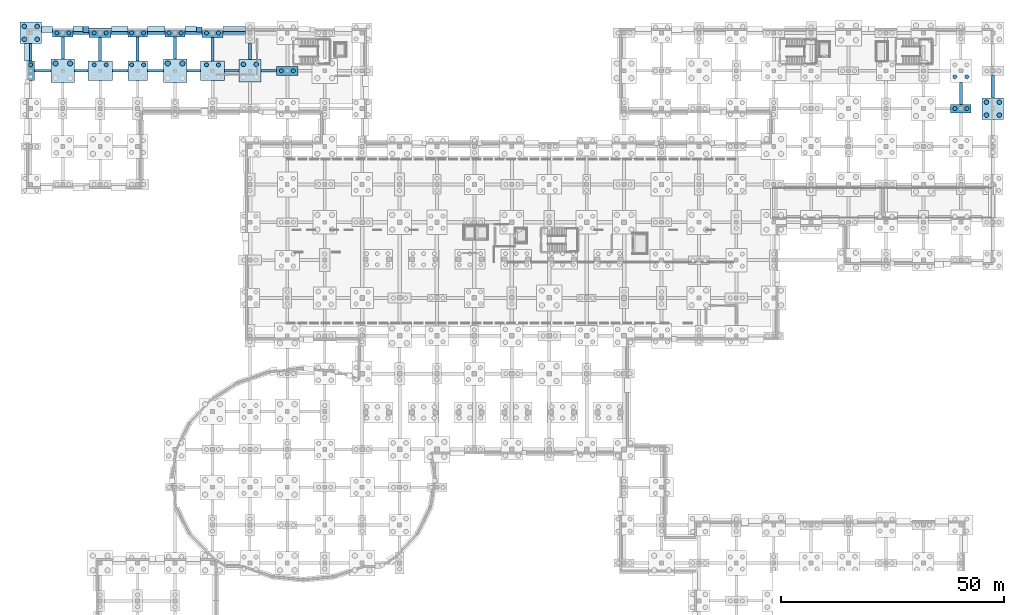
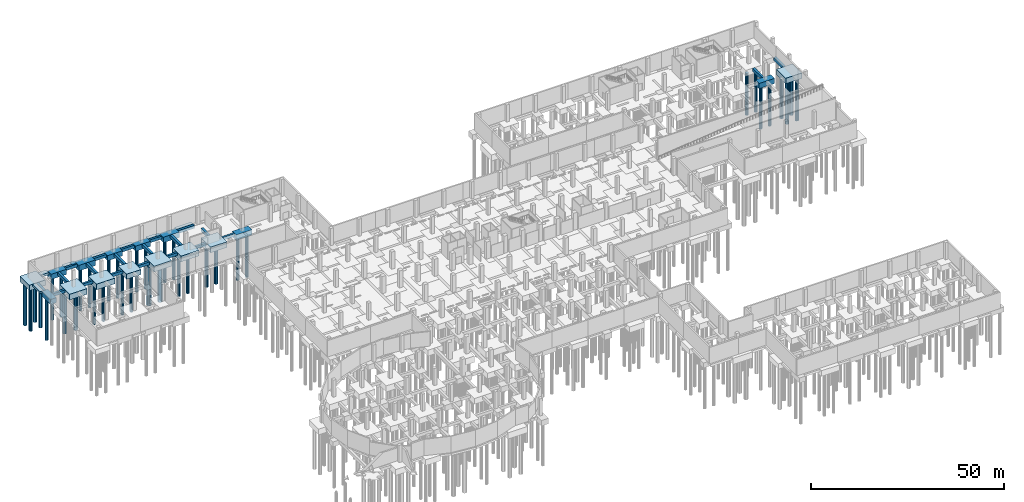
# One storey, part 20 of 34: 46 footings, 37 piles.
"""IFC4 building model written with IfcOpenShell, lengths in metres."""

import ifcopenshell
import ifcopenshell.guid

model = None  # the IFC model being written
_history = None  # IfcOwnerHistory: only IFC2X3 demands one
_inside = {}  # id of a spatial element -> (the spatial element, [elements in it])
_under = {}  # id of a project, library or spatial element -> (it, [spatial elements below it])
_declared = {}  # id of a project -> (the project, [libraries it declares])
_typed = {}  # id of a type object -> (the type object, [elements of that type])
_made_of = {}  # id of a material, layer set ... -> (it, [elements and type objects made of it])


def new_model(schema):
    """Start an empty IFC model of exactly this schema.

    Asked for "IFC4X3", IfcOpenShell would pick the latest addendum, in which some entities
    have other attributes; the version numbers below select the first issue.
    IFC2X3 requires an IfcOwnerHistory on every rooted entity: one is made here for all.
    """
    global model, _history
    if schema == "IFC4X3":
        model = ifcopenshell.file(schema_version=(4, 3, 0, 0))
    else:
        model = ifcopenshell.file(schema=schema)
    _inside.clear()
    _under.clear()
    _declared.clear()
    _typed.clear()
    _made_of.clear()
    _history = None
    if model.schema == "IFC2X3":
        org = make("IfcOrganization", Name="unknown")
        user = make(
            "IfcPersonAndOrganization",
            ThePerson=make("IfcPerson", FamilyName="unknown"),
            TheOrganization=org,
        )
        app = make(
            "IfcApplication",
            ApplicationDeveloper=org,
            Version="unknown",
            ApplicationFullName="unknown",
            ApplicationIdentifier="unknown",
        )
        _history = make(
            "IfcOwnerHistory",
            OwningUser=user,
            OwningApplication=app,
            ChangeAction="ADDED",
            CreationDate=0,
        )
    return model


def make(cls, **values):
    """One entity of the class cls with the attributes given. An attribute that is None is left unset."""
    return model.create_entity(
        cls, **{name: value for name, value in values.items() if value is not None}
    )


def rooted(cls, **values):
    """An entity with a GlobalId (a new one), such as an element, a storey or a relation."""
    return make(cls, GlobalId=ifcopenshell.guid.new(), OwnerHistory=_history, **values)


def si_unit(unit_type, name, prefix=None):
    """IfcSIUnit, for example si_unit("LENGTHUNIT", "METRE", prefix="MILLI")."""
    return make("IfcSIUnit", UnitType=unit_type, Prefix=prefix, Name=name)


def assignment(units):
    """IfcUnitAssignment: the units of a project."""
    return None if units is None else make("IfcUnitAssignment", Units=units)


def point(xyz):
    """IfcCartesianPoint."""
    return None if xyz is None else make("IfcCartesianPoint", Coordinates=xyz)


def direction(xyz):
    """IfcDirection."""
    return None if xyz is None else make("IfcDirection", DirectionRatios=xyz)


def frame(location, z_axis=None, x_axis=None):
    """IfcAxis2Placement3D, a coordinate frame: its origin and axes. An axis left out is left unset."""
    return make(
        "IfcAxis2Placement3D",
        Location=point(location),
        Axis=direction(z_axis),
        RefDirection=direction(x_axis),
    )


def frame_2d(location, x_axis=None):
    """IfcAxis2Placement2D, a coordinate frame in the plane: its origin and x axis."""
    return make(
        "IfcAxis2Placement2D", Location=point(location), RefDirection=direction(x_axis)
    )


def origin():
    """The frame at (0, 0, 0) with its axes left unset."""
    return frame((0.0, 0.0, 0.0))


def origin_2d():
    """The frame at (0, 0) in the plane with its x axis left unset."""
    return frame_2d((0.0, 0.0))


def place(relative_to, where):
    """IfcLocalPlacement: puts the frame where relative to a parent placement (None: the world)."""
    return make(
        "IfcLocalPlacement", PlacementRelTo=relative_to, RelativePlacement=where
    )


def context(
    kind, dimensions, precision=None, world=None, true_north=None, identifier=None
):
    """IfcGeometricRepresentationContext, for example the 3D "Model" context."""
    return make(
        "IfcGeometricRepresentationContext",
        ContextIdentifier=identifier,
        ContextType=kind,
        CoordinateSpaceDimension=dimensions,
        Precision=precision,
        WorldCoordinateSystem=world,
        TrueNorth=true_north,
    )


def subcontext(parent, identifier, kind, view, scale=None):
    """IfcGeometricRepresentationSubContext, for example "Body" below "Model"."""
    return make(
        "IfcGeometricRepresentationSubContext",
        ContextIdentifier=identifier,
        ContextType=kind,
        ParentContext=parent,
        TargetScale=scale,
        TargetView=view,
    )


def project(units=None, contexts=None):
    """IfcProject with its units and contexts."""
    return rooted(
        "IfcProject",
        Name="project",
        RepresentationContexts=contexts,
        UnitsInContext=assignment(units),
    )


def spatial(cls, under=None, at=None, **own):
    """A site, building, storey or space (cls), placed at a placement, below another one or the project."""
    s = rooted(cls, ObjectPlacement=at, **own)
    if under is not None:
        _under.setdefault(under.id(), (under, []))[1].append(s)
    return s


def profile(cls, at=None, kind="AREA", **sizes):
    """A parametric profile (cls). Its sizes go by their IFC names, for example OverallWidth=200.0."""
    return make(cls, ProfileType=kind, Position=at, **sizes)


def rectangle(**sizes):
    """IfcRectangleProfileDef."""
    return profile("IfcRectangleProfileDef", **sizes)


def circle(**sizes):
    """IfcCircleProfileDef."""
    return profile("IfcCircleProfileDef", **sizes)


def extrude(swept, where, along, depth):
    """IfcExtrudedAreaSolid: the profile swept, set in the frame where, extruded along a direction by depth."""
    return make(
        "IfcExtrudedAreaSolid",
        SweptArea=swept,
        Position=where,
        ExtrudedDirection=direction(along),
        Depth=depth,
    )


def shape(context_of_items, identifier, shape_type, items):
    """IfcShapeRepresentation: the items that make up one representation, for example the "Body"."""
    return make(
        "IfcShapeRepresentation",
        ContextOfItems=context_of_items,
        RepresentationIdentifier=identifier,
        RepresentationType=shape_type,
        Items=items,
    )


def material(Name=None, Category=None):
    """IfcMaterial."""
    return make("IfcMaterial", Name=Name, Category=Category)


def material_profile(
    of_material, cross_section, Name=None, Category=None, Priority=None
):
    """IfcMaterialProfile: a cross section and its material."""
    return make(
        "IfcMaterialProfile",
        Name=Name,
        Material=of_material,
        Profile=cross_section,
        Priority=Priority,
        Category=Category,
    )


def profile_set(profiles, Name=None, composite=None):
    """IfcMaterialProfileSet."""
    return make(
        "IfcMaterialProfileSet",
        Name=Name,
        MaterialProfiles=profiles,
        CompositeProfile=composite,
    )


def made_of(thing, what):
    """Note that an element or type object is made of a material, layer set ...; save() writes the relation."""
    if what is not None:
        _made_of.setdefault(what.id(), (what, []))[1].append(thing)
    return thing


def type_object(cls, material=None, **own):
    """A type object (cls), such as IfcWallType, which elements share."""
    return made_of(rooted(cls, **own), material)


def element(
    cls,
    number,
    at=None,
    inside=None,
    cuts=None,
    type_object=None,
    material=None,
    context=None,
    identifier="Body",
    shape_type=None,
    held_by="IfcProductDefinitionShape",
    body=None,
    shapes=None,
    **own,
):
    """One element of the class cls, such as IfcWall. Its Tag is "e" and its number.

    at: its placement. inside: the storey or other place that contains it. cuts: it is an
    opening in that element (IfcRelVoidsElement). A single representation is given by context,
    identifier, shape_type and body (its items); several are given by shapes. held_by: the class
    of the entity that holds the representations. save() writes the other relations.
    """
    e = rooted(cls, Tag="e%d" % number, ObjectPlacement=at, **own)
    if body is not None:
        shapes = [shape(context, identifier, shape_type, body)]
    if shapes is not None:
        e.Representation = make(held_by, Representations=shapes)
    if inside is not None:
        _inside.setdefault(inside.id(), (inside, []))[1].append(e)
    if cuts is not None:
        rooted(
            "IfcRelVoidsElement", RelatingBuildingElement=cuts, RelatedOpeningElement=e
        )
    if type_object is not None:
        _typed.setdefault(type_object.id(), (type_object, []))[1].append(e)
    return made_of(e, material)


def aggregate(whole, parts):
    """IfcRelAggregates: a whole, such as a stair, and the parts it consists of."""
    return rooted("IfcRelAggregates", RelatingObject=whole, RelatedObjects=parts)


def save(model, path):
    """Write the relations noted so far, then the file.

    IfcRelAggregates (storeys below a building ...), IfcRelContainedInSpatialStructure (elements
    in a storey), IfcRelDefinesByType, IfcRelAssociatesMaterial and IfcRelDeclares: one each for
    every whole, place, type object, material and project.
    """
    for whole, parts in _under.values():
        aggregate(whole, parts)
    for where, things in _inside.values():
        rooted(
            "IfcRelContainedInSpatialStructure",
            RelatedElements=things,
            RelatingStructure=where,
        )
    for kind, things in _typed.values():
        rooted("IfcRelDefinesByType", RelatedObjects=things, RelatingType=kind)
    for what, things in _made_of.values():
        rooted("IfcRelAssociatesMaterial", RelatedObjects=things, RelatingMaterial=what)
    for by, libraries in _declared.values():
        rooted("IfcRelDeclares", RelatingContext=by, RelatedDefinitions=libraries)
    model.write(path)


model = new_model("IFC4")

# Units and contexts
model_context = context("Model", 3, precision=1e-05, world=origin(), true_north=direction((0.0, 1.0)))
body_context = subcontext(model_context, "Body", "Model", "MODEL_VIEW")
ifc_project = project(units=[si_unit("LENGTHUNIT", "METRE"), si_unit("AREAUNIT", "SQUARE_METRE"), si_unit("VOLUMEUNIT", "CUBIC_METRE"), si_unit("PLANEANGLEUNIT", "RADIAN"), si_unit("MASSUNIT", "GRAM", prefix="KILO")], contexts=[model_context])

# Site, building, storey
site_placement = place(None, origin())
site = spatial("IfcSite", under=ifc_project, at=site_placement, CompositionType="ELEMENT")
building_placement = place(site_placement, origin())
building = spatial("IfcBuilding", under=site, at=building_placement, Name="Solvento Point Concert Hall", CompositionType="ELEMENT")
storey_placement = place(building_placement, frame((0.0, 0.0, -5.39990234375)))
storey = spatial("IfcBuildingStorey", under=building, at=storey_placement, Name="B01", CompositionType="ELEMENT", Elevation=-5.39990234375)

# Piles
ifc_material_1 = material(Name="Concrete C40/50", Category="concrete")
ifc_material_profile_1 = material_profile(ifc_material_1, circle(Radius=0.52490234375, at=origin_2d()), Name="BP-1050")
ifc_profile_set_1 = profile_set([ifc_material_profile_1], Name="Concrete C40/50")
pile_type_1 = type_object("IfcPileType", Name="BoredPile_1050", PredefinedType="BORED", material=ifc_profile_set_1)
for number, where, z_axis, x_axis, name in (
    (1, (-1.449951171875, 134.550048828125, -1.6201171875), (0.0, 0.0, -1.0), (1.0, 0.0, 0.0), "Bored pile BoredPile_1050 #13"),
    (2, (1.449951171875, 134.550048828125, -1.6201171875), (0.0, 0.0, -1.0), (1.0, 0.0, 0.0), "Bored pile BoredPile_1050 #14"),
    (3, (-1.449951171875, 137.449951171875, -1.6201171875), (0.0, 0.0, -1.0), (1.0, 0.0, 0.0), "Bored pile BoredPile_1050 #15"),
    (4, (1.449951171875, 137.449951171875, -1.6201171875), (0.0, 0.0, -1.0), (1.0, 0.0, 0.0), "Bored pile BoredPile_1050 #16"),
):
    element("IfcPile", number, at=place(storey_placement, frame(where, z_axis=z_axis, x_axis=x_axis)), inside=storey, type_object=pile_type_1, Name=name, PredefinedType="BORED", context=body_context, shape_type="SweptSolid", body=[
        extrude(circle(Radius=0.52490234375, at=origin_2d()), origin(), (0.0, 0.0, 1.0), 13.47998046875),
    ])
for number, where, z_axis, x_axis, name in (
    (5, (47.75, 128.949951171875, -1.66015625), (0.0, 0.0, -1.0), (1.0, 0.0, 0.0), "Bored pile BoredPile_1050 #165"),
    (6, (50.64990234375, 128.949951171875, -1.66015625), (0.0, 0.0, -1.0), (1.0, 0.0, 0.0), "Bored pile BoredPile_1050 #166"),
):
    element("IfcPile", number, at=place(storey_placement, frame(where, z_axis=z_axis, x_axis=x_axis)), inside=storey, type_object=pile_type_1, Name=name, PredefinedType="BORED", context=body_context, shape_type="SweptSolid", body=[
        extrude(circle(Radius=0.52490234375, at=origin_2d()), origin(), (0.0, 0.0, 1.0), 13.43994140625),
    ])
for number, where, z_axis, x_axis, name in (
    (7, (214.550048828125, 117.550048828125, -1.6201171875), (0.0, 0.0, -1.0), (1.0, 0.0, 0.0), "Bored pile BoredPile_1050 #805"),
    (8, (217.449951171875, 117.550048828125, -1.6201171875), (0.0, 0.0, -1.0), (1.0, 0.0, 0.0), "Bored pile BoredPile_1050 #806"),
    (9, (214.550048828125, 120.449951171875, -1.6201171875), (0.0, 0.0, -1.0), (1.0, 0.0, 0.0), "Bored pile BoredPile_1050 #807"),
    (10, (217.449951171875, 120.449951171875, -1.6201171875), (0.0, 0.0, -1.0), (1.0, 0.0, 0.0), "Bored pile BoredPile_1050 #808"),
):
    element("IfcPile", number, at=place(storey_placement, frame(where, z_axis=z_axis, x_axis=x_axis)), inside=storey, type_object=pile_type_1, Name=name, PredefinedType="BORED", context=body_context, shape_type="SweptSolid", body=[
        extrude(circle(Radius=0.52490234375, at=origin_2d()), origin(), (0.0, 0.0, 1.0), 13.47998046875),
    ])
ifc_material_2 = material(Name="Concrete C40/50", Category="concrete")
ifc_material_profile_2 = material_profile(ifc_material_2, circle(Radius=0.60009765625, at=origin_2d()), Name="BP-1200")
ifc_profile_set_2 = profile_set([ifc_material_profile_2], Name="Concrete C40/50")
pile_type_2 = type_object("IfcPileType", Name="BoredPile_1200", PredefinedType="BORED", material=ifc_profile_set_2)
for number, where, z_axis, x_axis, name in (
    (11, (5.550048828125, 129.14990234375, -1.7001953125), (0.0, 0.0, -1.0), (1.0, 0.0, 0.0), "Bored pile BoredPile_1200 #27"),
    (12, (8.85009765625, 129.14990234375, -1.7001953125), (0.0, 0.0, -1.0), (1.0, 0.0, 0.0), "Bored pile BoredPile_1200 #28"),
    (13, (30.75, 129.14990234375, -1.7001953125), (0.0, 0.0, -1.0), (1.0, 0.0, 0.0), "Bored pile BoredPile_1200 #99"),
    (14, (34.050048828125, 129.14990234375, -1.7001953125), (0.0, 0.0, -1.0), (1.0, 0.0, 0.0), "Bored pile BoredPile_1200 #100"),
):
    element("IfcPile", number, at=place(storey_placement, frame(where, z_axis=z_axis, x_axis=x_axis)), inside=storey, type_object=pile_type_2, Name=name, PredefinedType="BORED", context=body_context, shape_type="SweptSolid", body=[
        extrude(circle(Radius=0.60009765625, at=origin_2d()), origin(), (0.0, 0.0, 1.0), 13.39990234375),
    ])
ifc_material_3 = material(Name="Concrete C40/50", Category="concrete")
ifc_material_profile_3 = material_profile(ifc_material_3, circle(Radius=0.449951171875, at=origin_2d()), Name="BP-900")
ifc_profile_set_3 = profile_set([ifc_material_profile_3], Name="Concrete C40/50")
pile_type_3 = type_object("IfcPileType", Name="BoredPile_900", PredefinedType="BORED", material=ifc_profile_set_3)
pile_placement = place(storey_placement, frame((0.0, 128.85009765625, -1.47998046875), z_axis=(0.0, 0.0, -1.0), x_axis=(1.0, 0.0, 0.0)))
element("IfcPile", 15, at=pile_placement, inside=storey, type_object=pile_type_3, Name="Bored pile BoredPile_900 #12", PredefinedType="BORED", context=body_context, shape_type="SweptSolid", body=[
    extrude(circle(Radius=0.449951171875, at=origin_2d()), origin(), (0.0, 0.0, 1.0), 13.6201171875),
])
for number, where, z_axis, x_axis, name in (
    (16, (5.85009765625, 136.0, -1.550048828125), (0.0, 0.0, -1.0), (1.0, 0.0, 0.0), "Bored pile BoredPile_900 #29"),
    (17, (8.550048828125, 136.0, -1.550048828125), (0.0, 0.0, -1.0), (1.0, 0.0, 0.0), "Bored pile BoredPile_900 #30"),
):
    element("IfcPile", number, at=place(storey_placement, frame(where, z_axis=z_axis, x_axis=x_axis)), inside=storey, type_object=pile_type_3, Name=name, PredefinedType="BORED", context=body_context, shape_type="SweptSolid", body=[
        extrude(circle(Radius=0.449951171875, at=origin_2d()), origin(), (0.0, 0.0, 1.0), 13.550048828125),
    ])
for number, where, z_axis, x_axis, name in (
    (18, (14.25, 128.85009765625, -1.68017578125), (0.0, 0.0, -1.0), (1.0, 0.0, 0.0), "Bored pile BoredPile_900 #51"),
    (19, (16.949951171875, 128.85009765625, -1.68017578125), (0.0, 0.0, -1.0), (1.0, 0.0, 0.0), "Bored pile BoredPile_900 #52"),
):
    element("IfcPile", number, at=place(storey_placement, frame(where, z_axis=z_axis, x_axis=x_axis)), inside=storey, type_object=pile_type_3, Name=name, PredefinedType="BORED", context=body_context, shape_type="SweptSolid", body=[
        extrude(circle(Radius=0.449951171875, at=origin_2d()), origin(), (0.0, 0.0, 1.0), 13.419921875),
    ])
for number, where, z_axis, x_axis, name in (
    (20, (14.25, 136.0, -1.650146484375), (0.0, 0.0, -1.0), (1.0, 0.0, 0.0), "Bored pile BoredPile_900 #53"),
    (21, (16.949951171875, 136.0, -1.650146484375), (0.0, 0.0, -1.0), (1.0, 0.0, 0.0), "Bored pile BoredPile_900 #54"),
):
    element("IfcPile", number, at=place(storey_placement, frame(where, z_axis=z_axis, x_axis=x_axis)), inside=storey, type_object=pile_type_3, Name=name, PredefinedType="BORED", context=body_context, shape_type="SweptSolid", body=[
        extrude(circle(Radius=0.449951171875, at=origin_2d()), origin(), (0.0, 0.0, 1.0), 13.449951171875),
    ])
for number, where, z_axis, x_axis, name in (
    (22, (22.64990234375, 128.85009765625, -1.5), (0.0, 0.0, -1.0), (1.0, 0.0, 0.0), "Bored pile BoredPile_900 #75"),
    (23, (25.35009765625, 128.85009765625, -1.5), (0.0, 0.0, -1.0), (1.0, 0.0, 0.0), "Bored pile BoredPile_900 #76"),
):
    element("IfcPile", number, at=place(storey_placement, frame(where, z_axis=z_axis, x_axis=x_axis)), inside=storey, type_object=pile_type_3, Name=name, PredefinedType="BORED", context=body_context, shape_type="SweptSolid", body=[
        extrude(circle(Radius=0.449951171875, at=origin_2d()), origin(), (0.0, 0.0, 1.0), 13.60009765625),
    ])
for number, where, z_axis, x_axis, name in (
    (24, (22.64990234375, 136.0, -1.5400390625), (0.0, 0.0, -1.0), (1.0, 0.0, 0.0), "Bored pile BoredPile_900 #77"),
    (25, (25.35009765625, 136.0, -1.5400390625), (0.0, 0.0, -1.0), (1.0, 0.0, 0.0), "Bored pile BoredPile_900 #78"),
):
    element("IfcPile", number, at=place(storey_placement, frame(where, z_axis=z_axis, x_axis=x_axis)), inside=storey, type_object=pile_type_3, Name=name, PredefinedType="BORED", context=body_context, shape_type="SweptSolid", body=[
        extrude(circle(Radius=0.449951171875, at=origin_2d()), origin(), (0.0, 0.0, 1.0), 13.56005859375),
    ])
for number, where, z_axis, x_axis, name in (
    (26, (31.050048828125, 136.0, -1.5), (0.0, 0.0, -1.0), (1.0, 0.0, 0.0), "Bored pile BoredPile_900 #101"),
    (27, (33.75, 136.0, -1.5), (0.0, 0.0, -1.0), (1.0, 0.0, 0.0), "Bored pile BoredPile_900 #102"),
):
    element("IfcPile", number, at=place(storey_placement, frame(where, z_axis=z_axis, x_axis=x_axis)), inside=storey, type_object=pile_type_3, Name=name, PredefinedType="BORED", context=body_context, shape_type="SweptSolid", body=[
        extrude(circle(Radius=0.449951171875, at=origin_2d()), origin(), (0.0, 0.0, 1.0), 13.60009765625),
    ])
for number, where, z_axis, x_axis, name in (
    (28, (39.449951171875, 128.85009765625, -1.68017578125), (0.0, 0.0, -1.0), (1.0, 0.0, 0.0), "Bored pile BoredPile_900 #123"),
    (29, (42.14990234375, 128.85009765625, -1.68017578125), (0.0, 0.0, -1.0), (1.0, 0.0, 0.0), "Bored pile BoredPile_900 #124"),
):
    element("IfcPile", number, at=place(storey_placement, frame(where, z_axis=z_axis, x_axis=x_axis)), inside=storey, type_object=pile_type_3, Name=name, PredefinedType="BORED", context=body_context, shape_type="SweptSolid", body=[
        extrude(circle(Radius=0.449951171875, at=origin_2d()), origin(), (0.0, 0.0, 1.0), 13.419921875),
    ])
for number, where, z_axis, x_axis, name in (
    (30, (39.449951171875, 136.0, -1.60009765625), (0.0, 0.0, -1.0), (1.0, 0.0, 0.0), "Bored pile BoredPile_900 #125"),
    (31, (42.14990234375, 136.0, -1.60009765625), (0.0, 0.0, -1.0), (1.0, 0.0, 0.0), "Bored pile BoredPile_900 #126"),
    (32, (56.25, 127.5, -1.60009765625), (0.0, 0.0, -1.0), (1.0, 0.0, 0.0), "Bored pile BoredPile_900 #209"),
    (33, (58.949951171875, 127.5, -1.60009765625), (0.0, 0.0, -1.0), (1.0, 0.0, 0.0), "Bored pile BoredPile_900 #210"),
):
    element("IfcPile", number, at=place(storey_placement, frame(where, z_axis=z_axis, x_axis=x_axis)), inside=storey, type_object=pile_type_3, Name=name, PredefinedType="BORED", context=body_context, shape_type="SweptSolid", body=[
        extrude(circle(Radius=0.449951171875, at=origin_2d()), origin(), (0.0, 0.0, 1.0), 13.5),
    ])
for number, where, z_axis, x_axis, name in (
    (34, (207.449951171875, 119.0, -1.550048828125), (0.0, 0.0, -1.0), (1.0, 0.0, 0.0), "Bored pile BoredPile_900 #785"),
    (35, (210.14990234375, 119.0, -1.550048828125), (0.0, 0.0, -1.0), (1.0, 0.0, 0.0), "Bored pile BoredPile_900 #786"),
):
    element("IfcPile", number, at=place(storey_placement, frame(where, z_axis=z_axis, x_axis=x_axis)), inside=storey, type_object=pile_type_3, Name=name, PredefinedType="BORED", context=body_context, shape_type="SweptSolid", body=[
        extrude(circle(Radius=0.449951171875, at=origin_2d()), origin(), (0.0, 0.0, 1.0), 13.550048828125),
    ])
for number, where, z_axis, x_axis, name in (
    (36, (207.449951171875, 126.14990234375, -1.760009765625), (0.0, 0.0, -1.0), (1.0, 0.0, 0.0), "Bored pile BoredPile_900 #787"),
    (37, (210.14990234375, 126.14990234375, -1.760009765625), (0.0, 0.0, -1.0), (1.0, 0.0, 0.0), "Bored pile BoredPile_900 #788"),
):
    element("IfcPile", number, at=place(storey_placement, frame(where, z_axis=z_axis, x_axis=x_axis)), inside=storey, type_object=pile_type_3, Name=name, PredefinedType="BORED", context=body_context, shape_type="SweptSolid", body=[
        extrude(circle(Radius=0.449951171875, at=origin_2d()), origin(), (0.0, 0.0, 1.0), 13.340087890625),
    ])

# Footings
ifc_material_4 = material(Name="Concrete C40/50", Category="concrete")
footing_type_1 = type_object("IfcFootingType", Name="PileCap_2B", PredefinedType="PILE_CAP", material=ifc_material_4)
footing_1_placement = place(storey_placement, frame((0.0, 127.5, -1.580078125), z_axis=(0.0, 0.0, 1.0), x_axis=(1.0, 0.0, 0.0)))
element("IfcFooting", 38, at=footing_1_placement, inside=storey, type_object=footing_type_1, Name="Pile cap PC-2B at G-01-R", PredefinedType="PILE_CAP", context=body_context, shape_type="SweptSolid", body=[
    extrude(rectangle(XDim=1.719970703125, YDim=4.3798828125, at=origin_2d()), origin(), (0.0, 0.0, 1.0), 1.580078125),
])
ifc_material_5 = material(Name="Concrete C40/50", Category="concrete")
footing_type_2 = type_object("IfcFootingType", Name="PileCap_2C", PredefinedType="PILE_CAP", material=ifc_material_5)
footing_2_placement = place(storey_placement, frame((32.39990234375, 136.0, -1.60009765625), z_axis=(0.0, 0.0, 1.0), x_axis=(1.0, 0.0, 0.0)))
element("IfcFooting", 39, at=footing_2_placement, inside=storey, type_object=footing_type_2, Name="Pile cap PC-2C at G-05-S", PredefinedType="PILE_CAP", context=body_context, shape_type="SweptSolid", body=[
    extrude(rectangle(XDim=4.4599609375, YDim=1.780029296875, at=origin_2d()), origin(), (0.0, 0.0, 1.0), 1.60009765625),
])
ifc_material_6 = material(Name="Concrete C40/50", Category="concrete")
footing_type_3 = type_object("IfcFootingType", Name="PileCap_2E", PredefinedType="PILE_CAP", material=ifc_material_6)
for number, where, z_axis, x_axis, name in (
    (40, (7.199951171875, 136.0, -1.650146484375), (0.0, 0.0, 1.0), (1.0, 0.0, 0.0), "Pile cap PC-2E at G-02-S"),
    (41, (208.800048828125, 119.0, -1.650146484375), (0.0, 0.0, 1.0), (1.0, 0.0, 0.0), "Pile cap PC-2E at G-26-Q"),
):
    element("IfcFooting", number, at=place(storey_placement, frame(where, z_axis=z_axis, x_axis=x_axis)), inside=storey, type_object=footing_type_3, Name=name, PredefinedType="PILE_CAP", context=body_context, shape_type="SweptSolid", body=[
        extrude(rectangle(XDim=4.6201171875, YDim=1.89990234375, at=origin_2d()), origin(), (0.0, 0.0, 1.0), 1.64990234375),
    ])
ifc_material_7 = material(Name="Concrete C40/50", Category="concrete")
footing_type_4 = type_object("IfcFootingType", Name="PileCap_2G", PredefinedType="PILE_CAP", material=ifc_material_7)
for number, where, z_axis, x_axis, name in (
    (42, (40.800048828125, 136.0, -1.7001953125), (0.0, 0.0, 1.0), (1.0, 0.0, 0.0), "Pile cap PC-2G at G-06-S"),
    (43, (57.60009765625, 127.5, -1.7001953125), (0.0, 0.0, 1.0), (1.0, 0.0, 0.0), "Pile cap PC-2G at G-08-R"),
):
    element("IfcFooting", number, at=place(storey_placement, frame(where, z_axis=z_axis, x_axis=x_axis)), inside=storey, type_object=footing_type_4, Name=name, PredefinedType="PILE_CAP", context=body_context, shape_type="SweptSolid", body=[
        extrude(rectangle(XDim=4.780029296875, YDim=2.02001953125, at=origin_2d()), origin(), (0.0, 0.0, 1.0), 1.699951171875),
    ])
ifc_material_8 = material(Name="Concrete C40/50", Category="concrete")
footing_type_5 = type_object("IfcFootingType", Name="PileCap_2J", PredefinedType="PILE_CAP", material=ifc_material_8)
footing_3_placement = place(storey_placement, frame((15.60009765625, 136.0, -1.75), z_axis=(0.0, 0.0, 1.0), x_axis=(1.0, 0.0, 0.0)))
element("IfcFooting", 44, at=footing_3_placement, inside=storey, type_object=footing_type_5, Name="Pile cap PC-2J at G-03-S", PredefinedType="PILE_CAP", context=body_context, shape_type="SweptSolid", body=[
    extrude(rectangle(XDim=4.93994140625, YDim=2.139892578125, at=origin_2d()), origin(), (0.0, 0.0, 1.0), 1.75),
])
ifc_material_9 = material(Name="Concrete C40/50", Category="concrete")
footing_type_6 = type_object("IfcFootingType", Name="PileCap_2N", PredefinedType="PILE_CAP", material=ifc_material_9)
footing_4_placement = place(storey_placement, frame((24.0, 136.0, -1.64013671875), z_axis=(0.0, 0.0, 1.0), x_axis=(1.0, 0.0, 0.0)))
element("IfcFooting", 45, at=footing_4_placement, inside=storey, type_object=footing_type_6, Name="Pile cap PC-2N at G-04-S", PredefinedType="PILE_CAP", context=body_context, shape_type="SweptSolid", body=[
    extrude(rectangle(XDim=4.39990234375, YDim=1.93994140625, at=origin_2d()), origin(), (0.0, 0.0, 1.0), 1.639892578125),
])
ifc_material_10 = material(Name="Concrete C40/50", Category="concrete")
footing_type_7 = type_object("IfcFootingType", Name="PileCap_4A", PredefinedType="PILE_CAP", material=ifc_material_10)
footing_5_placement = place(storey_placement, frame((24.0, 127.5, -1.60009765625), z_axis=(0.0, 0.0, 1.0), x_axis=(1.0, 0.0, 0.0)))
element("IfcFooting", 46, at=footing_5_placement, inside=storey, type_object=footing_type_7, Name="Pile cap PC-4A at G-04-R", PredefinedType="PILE_CAP", context=body_context, shape_type="SweptSolid", body=[
    extrude(rectangle(XDim=4.35009765625, YDim=4.35009765625, at=origin_2d()), origin(), (0.0, 0.0, 1.0), 1.60009765625),
])
ifc_material_11 = material(Name="Concrete C40/50", Category="concrete")
footing_type_8 = type_object("IfcFootingType", Name="PileCap_4C", PredefinedType="PILE_CAP", material=ifc_material_11)
for number, where, z_axis, x_axis, name in (
    (47, (0.0, 136.0, -1.72021484375), (0.0, 0.0, 1.0), (1.0, 0.0, 0.0), "Pile cap PC-4C at G-01-S"),
    (48, (216.0, 119.0, -1.72021484375), (0.0, 0.0, 1.0), (1.0, 0.0, 0.0), "Pile cap PC-4C at G-27-Q"),
):
    element("IfcFooting", number, at=place(storey_placement, frame(where, z_axis=z_axis, x_axis=x_axis)), inside=storey, type_object=footing_type_8, Name=name, PredefinedType="PILE_CAP", context=body_context, shape_type="SweptSolid", body=[
        extrude(rectangle(XDim=4.820068359375, YDim=4.820068359375, at=origin_2d()), origin(), (0.0, 0.0, 1.0), 1.719970703125),
    ])
ifc_material_12 = material(Name="Concrete C40/50", Category="concrete")
footing_type_9 = type_object("IfcFootingType", Name="PileCap_4D", PredefinedType="PILE_CAP", material=ifc_material_12)
footing_6_placement = place(storey_placement, frame((49.199951171875, 127.5, -1.76025390625), z_axis=(0.0, 0.0, 1.0), x_axis=(1.0, 0.0, 0.0)))
element("IfcFooting", 49, at=footing_6_placement, inside=storey, type_object=footing_type_9, Name="Pile cap PC-4D at G-07-R", PredefinedType="PILE_CAP", context=body_context, shape_type="SweptSolid", body=[
    extrude(rectangle(XDim=4.97998046875, YDim=4.97998046875, at=origin_2d()), origin(), (0.0, 0.0, 1.0), 1.760009765625),
])
ifc_material_13 = material(Name="Concrete C40/50", Category="concrete")
footing_type_10 = type_object("IfcFootingType", Name="PileCap_4E", PredefinedType="PILE_CAP", material=ifc_material_13)
for number, where, z_axis, x_axis, name in (
    (50, (7.199951171875, 127.5, -1.80029296875), (0.0, 0.0, 1.0), (1.0, 0.0, 0.0), "Pile cap PC-4E at G-02-R"),
    (51, (32.39990234375, 127.5, -1.80029296875), (0.0, 0.0, 1.0), (1.0, 0.0, 0.0), "Pile cap PC-4E at G-05-R"),
):
    element("IfcFooting", number, at=place(storey_placement, frame(where, z_axis=z_axis, x_axis=x_axis)), inside=storey, type_object=footing_type_10, Name=name, PredefinedType="PILE_CAP", context=body_context, shape_type="SweptSolid", body=[
        extrude(rectangle(XDim=5.25, YDim=5.25, at=origin_2d()), origin(), (0.0, 0.0, 1.0), 1.800048828125),
    ])
ifc_material_14 = material(Name="Concrete C40/50", Category="concrete")
footing_type_11 = type_object("IfcFootingType", Name="PileCap_4J", PredefinedType="PILE_CAP", material=ifc_material_14)
for number, where, z_axis, x_axis, name in (
    (52, (15.60009765625, 127.5, -1.7802734375), (0.0, 0.0, 1.0), (1.0, 0.0, 0.0), "Pile cap PC-4J at G-03-R"),
    (53, (40.800048828125, 127.5, -1.7802734375), (0.0, 0.0, 1.0), (1.0, 0.0, 0.0), "Pile cap PC-4J at G-06-R"),
):
    element("IfcFooting", number, at=place(storey_placement, frame(where, z_axis=z_axis, x_axis=x_axis)), inside=storey, type_object=footing_type_11, Name=name, PredefinedType="PILE_CAP", context=body_context, shape_type="SweptSolid", body=[
        extrude(rectangle(XDim=5.4599609375, YDim=4.360107421875, at=origin_2d()), origin(), (0.0, 0.0, 1.0), 1.780029296875),
    ])
ifc_material_15 = material(Name="Concrete C40/50", Category="concrete")
footing_type_12 = type_object("IfcFootingType", Name="StripFooting_1400x700", PredefinedType="STRIP_FOOTING", material=ifc_material_15)
footing_7_placement = place(storey_placement, frame((-0.7548828125, 131.639892578125, -0.7001953125), z_axis=(0.0, 0.0, 1.0), x_axis=(0.0, 1.0, 0.0)))
element("IfcFooting", 54, at=footing_7_placement, inside=storey, type_object=footing_type_12, Name="Strip footing SF-02", PredefinedType="STRIP_FOOTING", context=body_context, shape_type="SweptSolid", body=[
    extrude(rectangle(XDim=3.8798828125, YDim=1.39990234375, at=origin_2d()), origin(), (0.0, 0.0, 1.0), 0.699951171875),
])
footing_8_placement = place(storey_placement, frame((3.64990234375, 136.7548828125, -0.7001953125), z_axis=(0.0, 0.0, 1.0), x_axis=(1.0, 0.0, 0.0)))
element("IfcFooting", 55, at=footing_8_placement, inside=storey, type_object=footing_type_12, Name="Strip footing SF-02", PredefinedType="STRIP_FOOTING", context=body_context, shape_type="SweptSolid", body=[
    extrude(rectangle(XDim=2.4599609375, YDim=1.39990234375, at=origin_2d()), origin(), (0.0, 0.0, 1.0), 0.699951171875),
])
footing_9_placement = place(storey_placement, frame((10.63330078125, 136.7548828125, -0.7001953125), z_axis=(0.0, 0.0, 1.0), x_axis=(1.0, 0.0, 0.0)))
element("IfcFooting", 56, at=footing_9_placement, inside=storey, type_object=footing_type_12, Name="Strip footing SF-02", PredefinedType="STRIP_FOOTING", context=body_context, shape_type="SweptSolid", body=[
    extrude(rectangle(XDim=2.226806640625, YDim=1.39990234375, at=origin_2d()), origin(), (0.0, 0.0, 1.0), 0.699951171875),
])
footing_10_placement = place(storey_placement, frame((12.438232421875, 136.7548828125, -0.7001953125), z_axis=(0.0, 0.0, 1.0), x_axis=(1.0, 0.0, 0.0)))
element("IfcFooting", 57, at=footing_10_placement, inside=storey, type_object=footing_type_12, Name="Strip footing SF-02", PredefinedType="STRIP_FOOTING", context=body_context, shape_type="SweptSolid", body=[
    extrude(rectangle(XDim=1.36328125, YDim=1.36328125, at=origin_2d()), origin(), (0.0, 0.0, 1.0), 0.699951171875),
])
footing_11_placement = place(storey_placement, frame((19.93505859375, 136.7548828125, -0.7001953125), z_axis=(0.0, 0.0, 1.0), x_axis=(1.0, 0.0, 0.0)))
element("IfcFooting", 58, at=footing_11_placement, inside=storey, type_object=footing_type_12, Name="Strip footing SF-02", PredefinedType="STRIP_FOOTING", context=body_context, shape_type="SweptSolid", body=[
    extrude(rectangle(XDim=3.7099609375, YDim=1.39990234375, at=origin_2d()), origin(), (0.0, 0.0, 1.0), 0.699951171875),
])
footing_12_placement = place(storey_placement, frame((28.18505859375, 136.7548828125, -0.7001953125), z_axis=(0.0, 0.0, 1.0), x_axis=(1.0, 0.0, 0.0)))
element("IfcFooting", 59, at=footing_12_placement, inside=storey, type_object=footing_type_12, Name="Strip footing SF-02", PredefinedType="STRIP_FOOTING", context=body_context, shape_type="SweptSolid", body=[
    extrude(rectangle(XDim=3.949951171875, YDim=1.39990234375, at=origin_2d()), origin(), (0.0, 0.0, 1.0), 0.699951171875),
])
footing_13_placement = place(storey_placement, frame((35.919921875, 136.7548828125, -0.7001953125), z_axis=(0.0, 0.0, 1.0), x_axis=(1.0, 0.0, 0.0)))
element("IfcFooting", 60, at=footing_13_placement, inside=storey, type_object=footing_type_12, Name="Strip footing SF-02", PredefinedType="STRIP_FOOTING", context=body_context, shape_type="SweptSolid", body=[
    extrude(rectangle(XDim=2.56005859375, YDim=1.39990234375, at=origin_2d()), origin(), (0.0, 0.0, 1.0), 0.699951171875),
])
footing_14_placement = place(storey_placement, frame((37.804931640625, 136.7548828125, -0.7001953125), z_axis=(0.0, 0.0, 1.0), x_axis=(1.0, 0.0, 0.0)))
element("IfcFooting", 61, at=footing_14_placement, inside=storey, type_object=footing_type_12, Name="Strip footing SF-02", PredefinedType="STRIP_FOOTING", context=body_context, shape_type="SweptSolid", body=[
    extrude(rectangle(XDim=1.18994140625, YDim=1.18994140625, at=origin_2d()), origin(), (0.0, 0.0, 1.0), 0.699951171875),
])
footing_15_placement = place(storey_placement, frame((45.6826171875, 136.7548828125, -0.7001953125), z_axis=(0.0, 0.0, 1.0), x_axis=(1.0, 0.0, 0.0)))
element("IfcFooting", 62, at=footing_15_placement, inside=storey, type_object=footing_type_12, Name="Strip footing SF-02", PredefinedType="STRIP_FOOTING", context=body_context, shape_type="SweptSolid", body=[
    extrude(rectangle(XDim=4.965087890625, YDim=1.39990234375, at=origin_2d()), origin(), (0.0, 0.0, 1.0), 0.699951171875),
])
ifc_material_16 = material(Name="Concrete C40/50", Category="concrete")
footing_type_13 = type_object("IfcFootingType", Name="TieBeam_600x900", PredefinedType="FOOTING_BEAM", material=ifc_material_16)
footing_16_placement = place(storey_placement, frame((11.347412109375, 127.5, -0.900146484375), z_axis=(0.0, 0.0, 1.0), x_axis=(1.0, 0.0, 0.0)))
element("IfcFooting", 63, at=footing_16_placement, inside=storey, type_object=footing_type_13, Name="Seismic tie beam GB-01", PredefinedType="FOOTING_BEAM", context=body_context, shape_type="SweptSolid", body=[
    extrude(rectangle(XDim=3.044921875, YDim=0.60009765625, at=origin_2d()), origin(), (0.0, 0.0, 1.0), 0.89990234375),
])
footing_17_placement = place(storey_placement, frame((20.077392578125, 127.5, -0.900146484375), z_axis=(0.0, 0.0, 1.0), x_axis=(1.0, 0.0, 0.0)))
element("IfcFooting", 64, at=footing_17_placement, inside=storey, type_object=footing_type_13, Name="Seismic tie beam GB-01", PredefinedType="FOOTING_BEAM", context=body_context, shape_type="SweptSolid", body=[
    extrude(rectangle(XDim=3.4951171875, YDim=0.60009765625, at=origin_2d()), origin(), (0.0, 0.0, 1.0), 0.89990234375),
])
footing_18_placement = place(storey_placement, frame((36.547607421875, 127.5, -0.900146484375), z_axis=(0.0, 0.0, 1.0), x_axis=(1.0, 0.0, 0.0)))
element("IfcFooting", 65, at=footing_18_placement, inside=storey, type_object=footing_type_13, Name="Seismic tie beam GB-01", PredefinedType="FOOTING_BEAM", context=body_context, shape_type="SweptSolid", body=[
    extrude(rectangle(XDim=3.044921875, YDim=0.60009765625, at=origin_2d()), origin(), (0.0, 0.0, 1.0), 0.89990234375),
])
footing_19_placement = place(storey_placement, frame((45.1201171875, 127.5, -0.900146484375), z_axis=(0.0, 0.0, 1.0), x_axis=(1.0, 0.0, 0.0)))
element("IfcFooting", 66, at=footing_19_placement, inside=storey, type_object=footing_type_13, Name="Seismic tie beam GB-01", PredefinedType="FOOTING_BEAM", context=body_context, shape_type="SweptSolid", body=[
    extrude(rectangle(XDim=3.179931640625, YDim=0.60009765625, at=origin_2d()), origin(), (0.0, 0.0, 1.0), 0.89990234375),
])
footing_20_placement = place(storey_placement, frame((53.449951171875, 127.5, -0.900146484375), z_axis=(0.0, 0.0, 1.0), x_axis=(1.0, 0.0, 0.0)))
element("IfcFooting", 67, at=footing_20_placement, inside=storey, type_object=footing_type_13, Name="Seismic tie beam GB-01", PredefinedType="FOOTING_BEAM", context=body_context, shape_type="SweptSolid", body=[
    extrude(rectangle(XDim=3.52001953125, YDim=0.60009765625, at=origin_2d()), origin(), (0.0, 0.0, 1.0), 0.89990234375),
])
ifc_material_17 = material(Name="Concrete C40/50", Category="concrete")
footing_type_14 = type_object("IfcFootingType", Name="TieBeam_620x920", PredefinedType="FOOTING_BEAM", material=ifc_material_17)
footing_21_placement = place(storey_placement, frame((2.717529296875, 127.5, -0.920166015625), z_axis=(0.0, 0.0, 1.0), x_axis=(1.0, 0.0, 0.0)))
element("IfcFooting", 68, at=footing_21_placement, inside=storey, type_object=footing_type_14, Name="Seismic tie beam GB-02", PredefinedType="FOOTING_BEAM", context=body_context, shape_type="SweptSolid", body=[
    extrude(rectangle(XDim=3.715087890625, YDim=0.6201171875, at=origin_2d()), origin(), (0.0, 0.0, 1.0), 0.919921875),
])
footing_22_placement = place(storey_placement, frame((27.97509765625, 127.5, -0.920166015625), z_axis=(0.0, 0.0, 1.0), x_axis=(1.0, 0.0, 0.0)))
element("IfcFooting", 69, at=footing_22_placement, inside=storey, type_object=footing_type_14, Name="Seismic tie beam GB-02", PredefinedType="FOOTING_BEAM", context=body_context, shape_type="SweptSolid", body=[
    extrude(rectangle(XDim=3.60009765625, YDim=0.6201171875, at=origin_2d()), origin(), (0.0, 0.0, 1.0), 0.919921875),
])
footing_23_placement = place(storey_placement, frame((11.320068359375, 136.0, -0.920166015625), z_axis=(0.0, 0.0, 1.0), x_axis=(1.0, 0.0, 0.0)))
element("IfcFooting", 70, at=footing_23_placement, inside=storey, type_object=footing_type_14, Name="Seismic tie beam GB-02", PredefinedType="FOOTING_BEAM", context=body_context, shape_type="SweptSolid", body=[
    extrude(rectangle(XDim=3.6201171875, YDim=0.6201171875, at=origin_2d()), origin(), (0.0, 0.0, 1.0), 0.919921875),
])
footing_24_placement = place(storey_placement, frame((19.93505859375, 136.0, -0.920166015625), z_axis=(0.0, 0.0, 1.0), x_axis=(1.0, 0.0, 0.0)))
element("IfcFooting", 71, at=footing_24_placement, inside=storey, type_object=footing_type_14, Name="Seismic tie beam GB-02", PredefinedType="FOOTING_BEAM", context=body_context, shape_type="SweptSolid", body=[
    extrude(rectangle(XDim=3.72998046875, YDim=0.6201171875, at=origin_2d()), origin(), (0.0, 0.0, 1.0), 0.919921875),
])
footing_25_placement = place(storey_placement, frame((28.18505859375, 136.0, -0.920166015625), z_axis=(0.0, 0.0, 1.0), x_axis=(1.0, 0.0, 0.0)))
element("IfcFooting", 72, at=footing_25_placement, inside=storey, type_object=footing_type_14, Name="Seismic tie beam GB-02", PredefinedType="FOOTING_BEAM", context=body_context, shape_type="SweptSolid", body=[
    extrude(rectangle(XDim=3.969970703125, YDim=0.6201171875, at=origin_2d()), origin(), (0.0, 0.0, 1.0), 0.919921875),
])
footing_26_placement = place(storey_placement, frame((36.52001953125, 136.0, -0.920166015625), z_axis=(0.0, 0.0, 1.0), x_axis=(1.0, 0.0, 0.0)))
element("IfcFooting", 73, at=footing_26_placement, inside=storey, type_object=footing_type_14, Name="Seismic tie beam GB-02", PredefinedType="FOOTING_BEAM", context=body_context, shape_type="SweptSolid", body=[
    extrude(rectangle(XDim=3.780029296875, YDim=0.6201171875, at=origin_2d()), origin(), (0.0, 0.0, 1.0), 0.919921875),
])
footing_27_placement = place(storey_placement, frame((0.0, 131.639892578125, -0.920166015625), z_axis=(0.0, 0.0, 1.0), x_axis=(0.0, 1.0, 0.0)))
element("IfcFooting", 74, at=footing_27_placement, inside=storey, type_object=footing_type_14, Name="Seismic tie beam GB-02", PredefinedType="FOOTING_BEAM", context=body_context, shape_type="SweptSolid", body=[
    extrude(rectangle(XDim=3.89990234375, YDim=0.6201171875, at=origin_2d()), origin(), (0.0, 0.0, 1.0), 0.919921875),
])
footing_28_placement = place(storey_placement, frame((49.199951171875, 131.85009765625, -0.920166015625), z_axis=(0.0, 0.0, 1.0), x_axis=(0.0, 1.0, 0.0)))
element("IfcFooting", 75, at=footing_28_placement, inside=storey, type_object=footing_type_14, Name="Seismic tie beam GB-02", PredefinedType="FOOTING_BEAM", context=body_context, shape_type="SweptSolid", body=[
    extrude(rectangle(XDim=3.719970703125, YDim=0.6201171875, at=origin_2d()), origin(), (0.0, 0.0, 1.0), 0.919921875),
])
ifc_material_18 = material(Name="Concrete C40/50", Category="concrete")
footing_type_15 = type_object("IfcFootingType", Name="TieBeam_650x950", PredefinedType="FOOTING_BEAM", material=ifc_material_18)
footing_29_placement = place(storey_placement, frame((45.6826171875, 136.0, -0.9501953125), z_axis=(0.0, 0.0, 1.0), x_axis=(1.0, 0.0, 0.0)))
element("IfcFooting", 76, at=footing_29_placement, inside=storey, type_object=footing_type_15, Name="Seismic tie beam GB-03", PredefinedType="FOOTING_BEAM", context=body_context, shape_type="SweptSolid", body=[
    extrude(rectangle(XDim=4.985107421875, YDim=0.64990234375, at=origin_2d()), origin(), (0.0, 0.0, 1.0), 0.949951171875),
])
footing_30_placement = place(storey_placement, frame((7.199951171875, 132.58740234375, -0.9501953125), z_axis=(0.0, 0.0, 1.0), x_axis=(0.0, 1.0, 0.0)))
element("IfcFooting", 77, at=footing_30_placement, inside=storey, type_object=footing_type_15, Name="Seismic tie beam GB-03", PredefinedType="FOOTING_BEAM", context=body_context, shape_type="SweptSolid", body=[
    extrude(rectangle(XDim=4.925048828125, YDim=0.64990234375, at=origin_2d()), origin(), (0.0, 0.0, 1.0), 0.949951171875),
])
footing_31_placement = place(storey_placement, frame((32.39990234375, 132.617431640625, -0.9501953125), z_axis=(0.0, 0.0, 1.0), x_axis=(0.0, 1.0, 0.0)))
element("IfcFooting", 78, at=footing_31_placement, inside=storey, type_object=footing_type_15, Name="Seismic tie beam GB-03", PredefinedType="FOOTING_BEAM", context=body_context, shape_type="SweptSolid", body=[
    extrude(rectangle(XDim=4.985107421875, YDim=0.64990234375, at=origin_2d()), origin(), (0.0, 0.0, 1.0), 0.949951171875),
])
footing_32_placement = place(storey_placement, frame((208.800048828125, 122.39990234375, -0.9501953125), z_axis=(0.0, 0.0, 1.0), x_axis=(0.0, 1.0, 0.0)))
element("IfcFooting", 79, at=footing_32_placement, inside=storey, type_object=footing_type_15, Name="Seismic tie beam GB-03", PredefinedType="FOOTING_BEAM", context=body_context, shape_type="SweptSolid", body=[
    extrude(rectangle(XDim=4.89990234375, YDim=0.64990234375, at=origin_2d()), origin(), (0.0, 0.0, 1.0), 0.949951171875),
])
ifc_material_19 = material(Name="Concrete C40/50", Category="concrete")
footing_type_16 = type_object("IfcFootingType", Name="TieBeam_680x980", PredefinedType="FOOTING_BEAM", material=ifc_material_19)
footing_33_placement = place(storey_placement, frame((15.60009765625, 132.304931640625, -0.97998046875), z_axis=(0.0, 0.0, 1.0), x_axis=(0.0, 1.0, 0.0)))
element("IfcFooting", 80, at=footing_33_placement, inside=storey, type_object=footing_type_16, Name="Seismic tie beam GB-04", PredefinedType="FOOTING_BEAM", context=body_context, shape_type="SweptSolid", body=[
    extrude(rectangle(XDim=5.25, YDim=0.679931640625, at=origin_2d()), origin(), (0.0, 0.0, 1.0), 0.97998046875),
])
footing_34_placement = place(storey_placement, frame((24.0, 132.3525390625, -0.97998046875), z_axis=(0.0, 0.0, 1.0), x_axis=(0.0, 1.0, 0.0)))
element("IfcFooting", 81, at=footing_34_placement, inside=storey, type_object=footing_type_16, Name="Seismic tie beam GB-04", PredefinedType="FOOTING_BEAM", context=body_context, shape_type="SweptSolid", body=[
    extrude(rectangle(XDim=5.35498046875, YDim=0.679931640625, at=origin_2d()), origin(), (0.0, 0.0, 1.0), 0.97998046875),
])
footing_35_placement = place(storey_placement, frame((40.800048828125, 132.3349609375, -0.97998046875), z_axis=(0.0, 0.0, 1.0), x_axis=(0.0, 1.0, 0.0)))
element("IfcFooting", 82, at=footing_35_placement, inside=storey, type_object=footing_type_16, Name="Seismic tie beam GB-04", PredefinedType="FOOTING_BEAM", context=body_context, shape_type="SweptSolid", body=[
    extrude(rectangle(XDim=5.31005859375, YDim=0.679931640625, at=origin_2d()), origin(), (0.0, 0.0, 1.0), 0.97998046875),
])
footing_36_placement = place(storey_placement, frame((216.0, 123.919921875, -0.97998046875), z_axis=(0.0, 0.0, 1.0), x_axis=(0.0, 1.0, 0.0)))
element("IfcFooting", 83, at=footing_36_placement, inside=storey, type_object=footing_type_16, Name="Seismic tie beam GB-04", PredefinedType="FOOTING_BEAM", context=body_context, shape_type="SweptSolid", body=[
    extrude(rectangle(XDim=5.02001953125, YDim=0.679931640625, at=origin_2d()), origin(), (0.0, 0.0, 1.0), 0.97998046875),
])

save(model, "model.ifc")
